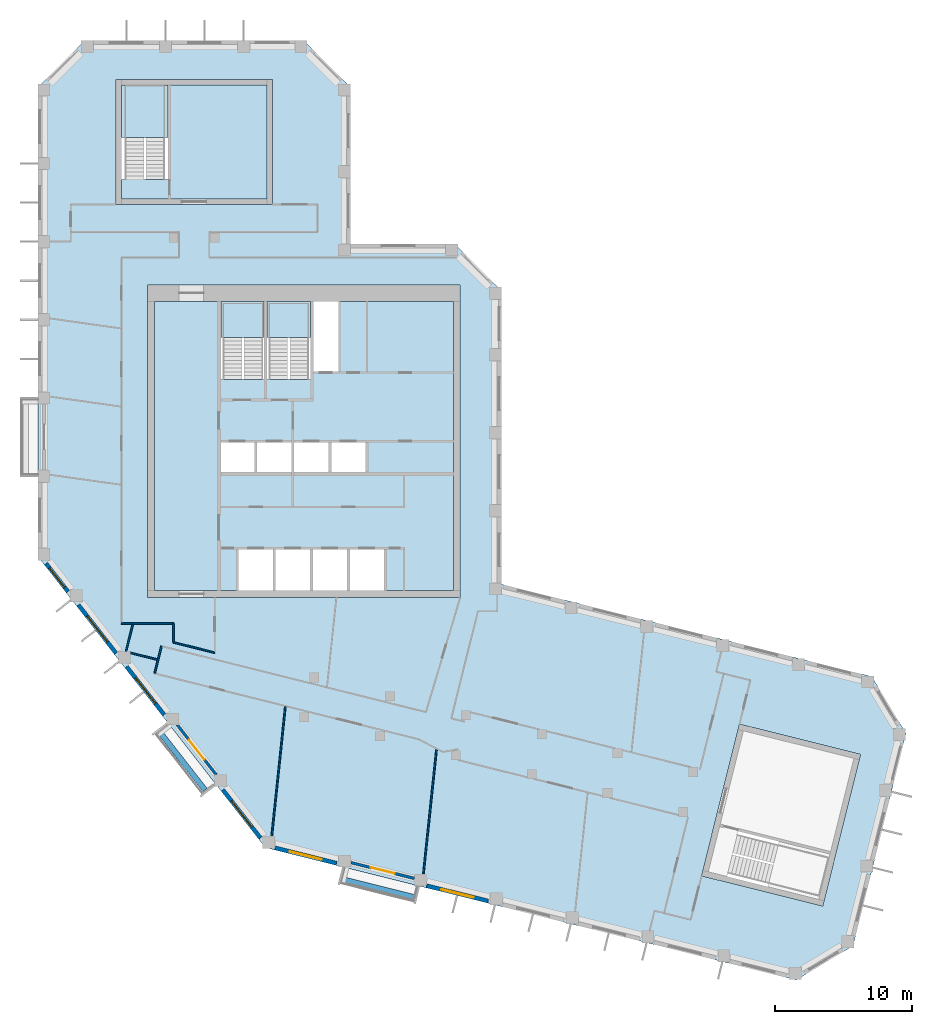
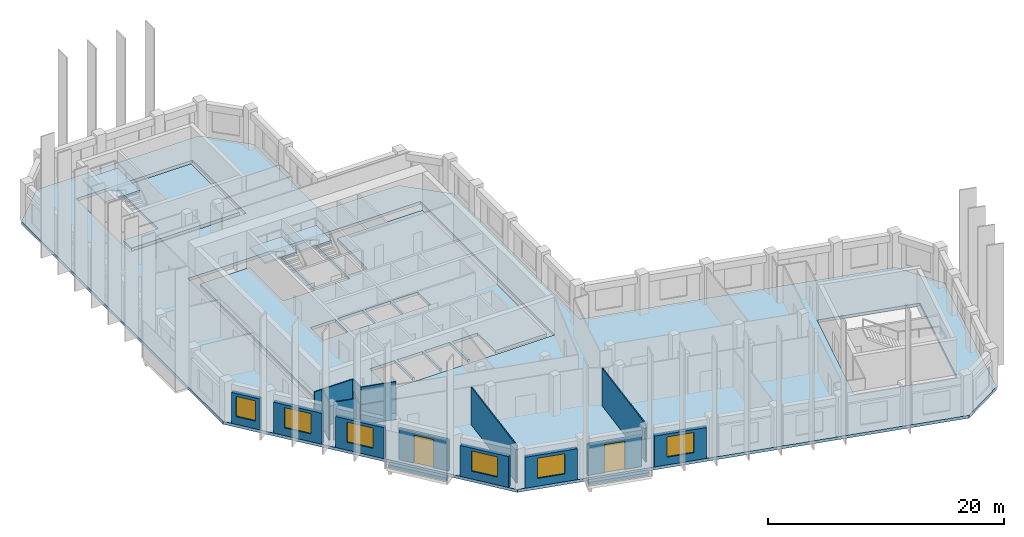
# One storey, part 2 of 8: 18 walls, 6 slabs, 6 windows, 2 doors, 8 openings, 3 elements without a shape of their own.
"""IFC4 building model written with IfcOpenShell, lengths in metres."""

from ifc_helpers import new_model, si_unit, direction, frame, frame_2d, origin, place, context, subcontext, project, spatial, polyline, rectangle, outline, extrude, material, layer, layer_set, type_object, element, fill, aggregate, save


model = new_model("IFC4")

# Units and contexts
model_context = context("Model", 3, precision=1e-05, world=origin(), true_north=direction((0.0, 1.0)))
body_context = subcontext(model_context, "Body", "Model", "MODEL_VIEW")
ifc_project = project(units=[si_unit("LENGTHUNIT", "METRE"), si_unit("AREAUNIT", "SQUARE_METRE"), si_unit("VOLUMEUNIT", "CUBIC_METRE"), si_unit("PLANEANGLEUNIT", "RADIAN"), si_unit("MASSUNIT", "GRAM", prefix="KILO")], contexts=[model_context])

# Site, building, storey
site_placement = place(None, origin())
site = spatial("IfcSite", under=ifc_project, at=site_placement, CompositionType="ELEMENT")
building_placement = place(site_placement, origin())
building = spatial("IfcBuilding", under=site, at=building_placement, Name="Meshkara Civic Tower", CompositionType="ELEMENT")
storey_placement = place(building_placement, frame((0.0, 0.0, 387.60009765625)))
storey = spatial("IfcBuildingStorey", under=building, at=storey_placement, Name="L89", CompositionType="ELEMENT", Elevation=387.60009765625)

# Slabs
ifc_material_1 = material(Name="Concrete C40/50", Category="concrete")
ifc_layer_1 = layer(ifc_material_1, 0.300048828125)
ifc_layer_set_1 = layer_set([ifc_layer_1], Name="Core floor slab 300 C40/50")
slab_type_1 = type_object("IfcSlabType", Name="Core floor slab 300 C40/50", PredefinedType="FLOOR", material=ifc_layer_set_1)
slab_1_placement = place(storey_placement, frame((0.0, 0.0, -0.300048828125)))
element("IfcSlab", 1, at=slab_1_placement, inside=storey, type_object=slab_type_1, Name="Core floor K", PredefinedType="FLOOR", context=body_context, shape_type="SweptSolid", body=[
    extrude(outline(polyline([(8.5, 35.699951171875), (13.35009765625, 35.699951171875), (13.35009765625, 30.00146484375), (16.5, 30.00146484375), (16.5, 35.699951171875), (16.699951171875, 35.699951171875), (16.699951171875, 30.00146484375), (19.89990234375, 30.00146484375), (19.89990234375, 35.699951171875), (20.10009765625, 35.699951171875), (20.10009765625, 30.574951171875), (21.925048828125, 30.574951171875), (21.925048828125, 35.699951171875), (30.300048828125, 35.699951171875), (30.300048828125, 14.60009765625), (25.25, 14.60009765625), (25.25, 17.60009765625), (22.75, 17.60009765625), (22.75, 14.60009765625), (22.550048828125, 14.60009765625), (22.550048828125, 17.60009765625), (20.050048828125, 17.60009765625), (20.050048828125, 14.60009765625), (19.85009765625, 14.60009765625), (19.85009765625, 17.60009765625), (17.35009765625, 17.60009765625), (17.35009765625, 14.60009765625), (17.14990234375, 14.60009765625), (17.14990234375, 17.60009765625), (14.64990234375, 17.60009765625), (14.64990234375, 14.60009765625), (8.5, 14.60009765625), (8.5, 35.699951171875)]), holes=[polyline([(13.35009765625, 23.25), (15.800048828125, 23.25), (15.800048828125, 25.39990234375), (13.35009765625, 25.39990234375), (13.35009765625, 23.25)]), polyline([(18.5, 23.25), (18.5, 25.39990234375), (16.0, 25.39990234375), (16.0, 23.25), (18.5, 23.25)]), polyline([(18.699951171875, 23.25), (21.199951171875, 23.25), (21.199951171875, 25.39990234375), (18.699951171875, 25.39990234375), (18.699951171875, 23.25)]), polyline([(23.89990234375, 23.25), (23.89990234375, 25.39990234375), (21.39990234375, 25.39990234375), (21.39990234375, 23.25), (23.89990234375, 23.25)])]), origin(), (0.0, 0.0, 1.0), 0.300048828125),
])
slab_2_placement = place(storey_placement, frame((0.0, 0.0, -0.300048828125)))
element("IfcSlab", 2, at=slab_2_placement, inside=storey, type_object=slab_type_1, Name="Core floor EA", PredefinedType="FLOOR", context=body_context, shape_type="SweptSolid", body=[
    extrude(outline(polyline([(16.699951171875, 43.169921875), (16.699951171875, 51.469970703125), (9.5, 51.469970703125), (9.5, 44.571533203125), (6.10009765625, 44.571533203125), (6.10009765625, 43.169921875), (16.699951171875, 43.169921875)])), origin(), (0.0, 0.0, 1.0), 0.300048828125),
])

# Stair, slab
ifc_material_2 = material(Name="Precast concrete C40/50", Category="concrete")
stair_type = type_object("IfcStairType", Name="Exit stair half-turn 24 risers precast", PredefinedType="HALF_TURN_STAIR", material=ifc_material_2)
stair_1_placement = place(storey_placement, origin())
stair_1 = element("IfcStair", 3, at=stair_1_placement, inside=storey, type_object=stair_type, Name="L89 exit stair 1", PredefinedType="HALF_TURN_STAIR")
ifc_material_3 = material(Name="Precast concrete C40/50", Category="concrete")
ifc_layer_2 = layer(ifc_material_3, 0.199951171875)
ifc_layer_set_2 = layer_set([ifc_layer_2], Name="Exit stair landing 200")
slab_type_2 = type_object("IfcSlabType", Name="Exit stair landing 200", PredefinedType="LANDING", material=ifc_layer_set_2)
slab_3_placement = place(storey_placement, frame((0.0, 0.0, 1.89990234375)))
slab_3 = element("IfcSlab", 4, at=slab_3_placement, type_object=slab_type_2, Name="ST1 landing 1", PredefinedType="LANDING", context=body_context, shape_type="SweptSolid", body=[
    extrude(outline(polyline([(16.5, 33.07861328125), (16.5, 35.699951171875), (13.35009765625, 35.699951171875), (13.35009765625, 33.07861328125), (16.5, 33.07861328125)])), origin(), (0.0, 0.0, 1.0), 0.199951171875),
])
aggregate(stair_1, [slab_3])

stair_2_placement = place(storey_placement, origin())
stair_2 = element("IfcStair", 5, at=stair_2_placement, inside=storey, type_object=stair_type, Name="L89 exit stair 2", PredefinedType="HALF_TURN_STAIR")
slab_4_placement = place(storey_placement, frame((0.0, 0.0, 1.89990234375)))
slab_4 = element("IfcSlab", 6, at=slab_4_placement, type_object=slab_type_2, Name="ST2 landing 1", PredefinedType="LANDING", context=body_context, shape_type="SweptSolid", body=[
    extrude(outline(polyline([(19.89990234375, 33.07861328125), (19.89990234375, 35.699951171875), (16.699951171875, 35.699951171875), (16.699951171875, 33.07861328125), (19.89990234375, 33.07861328125)])), origin(), (0.0, 0.0, 1.0), 0.199951171875),
])
aggregate(stair_2, [slab_4])

stair_3_placement = place(storey_placement, origin())
stair_3 = element("IfcStair", 7, at=stair_3_placement, inside=storey, type_object=stair_type, Name="L89 exit stair A from L80", PredefinedType="HALF_TURN_STAIR")
slab_5_placement = place(storey_placement, frame((0.0, 0.0, 1.89990234375)))
slab_5 = element("IfcSlab", 8, at=slab_5_placement, type_object=slab_type_2, Name="ESA6 landing 1", PredefinedType="LANDING", context=body_context, shape_type="SweptSolid", body=[
    extrude(outline(polyline([(9.5, 47.6484375), (9.5, 51.469970703125), (6.10009765625, 51.469970703125), (6.10009765625, 47.6484375), (9.5, 47.6484375)])), origin(), (0.0, 0.0, 1.0), 0.199951171875),
])
aggregate(stair_3, [slab_5])

# Slab
ifc_material_4 = material(Name="Concrete C50", Category="concrete")
ifc_layer_3 = layer(ifc_material_4, 0.300048828125)
ifc_layer_set_3 = layer_set([ifc_layer_3], Name="Post-tensioned flat slab 300 C50")
slab_type_3 = type_object("IfcSlabType", Name="Post-tensioned flat slab 300 C50", PredefinedType="FLOOR", material=ifc_layer_set_3)
slab_6_placement = place(storey_placement, frame((0.0, 0.0, -0.300048828125)))
element("IfcSlab", 9, at=slab_6_placement, inside=storey, type_object=slab_type_3, Name="Post-tensioned flat slab L89", PredefinedType="FLOOR", context=body_context, shape_type="SweptSolid", body=[
    extrude(outline(polyline([(59.452880859375, -11.299072265625), (55.306884765625, -13.7900390625), (16.592041015625, -4.136962890625), (0.0, 17.10009765625), (0.0, 51.300048828125), (3.419921875, 54.719970703125), (19.3798828125, 54.719970703125), (22.800048828125, 51.300048828125), (22.800048828125, 39.89990234375), (30.3798828125, 39.89990234375), (33.800048828125, 36.47998046875), (33.800048828125, 15.071044921875), (60.822998046875, 8.3330078125), (63.31396484375, 4.18701171875), (59.452880859375, -11.299072265625)]), holes=[polyline([(57.239013671875, -8.39697265625), (59.9970703125, 2.6650390625), (51.1669921875, 4.865966796875), (48.408935546875, -6.195068359375), (57.239013671875, -8.39697265625)]), polyline([(8.0, 14.10009765625), (30.800048828125, 14.10009765625), (30.800048828125, 36.89990234375), (8.0, 36.89990234375), (8.0, 14.10009765625)]), polyline([(5.699951171875, 51.8701171875), (5.699951171875, 42.77001953125), (17.10009765625, 42.77001953125), (17.10009765625, 51.8701171875), (5.699951171875, 51.8701171875)])]), origin(), (0.0, 0.0, 1.0), 0.300048828125),
])

# Walls
ifc_material_5 = material(Name="Corridor wall 100")
ifc_layer_4 = layer(ifc_material_5, 0.10009765625)
ifc_layer_set_4 = layer_set([ifc_layer_4], Name="Corridor wall 100")
wall_type_1 = type_object("IfcWallType", Name="Corridor wall 100", PredefinedType="PARTITIONING", material=ifc_layer_set_4)
wall_1_placement = place(storey_placement, frame((6.10009765625, 12.199951171875, 0.0), z_axis=(0.0, 0.0, 1.0), x_axis=(1.0, 0.0, 0.0)))
element("IfcWall", 10, at=wall_1_placement, inside=storey, type_object=wall_type_1, Name="L89-W004", PredefinedType="PARTITIONING", context=body_context, shape_type="SweptSolid", body=[
    extrude(rectangle(XDim=3.7998046875, YDim=0.10009765625, at=frame_2d((1.89990234375, 0.0))), origin(), (0.0, 0.0, 1.0), 3.89990234375),
])
wall_2_placement = place(storey_placement, frame((9.01708984375, 10.55810546875, 0.0), z_axis=(0.0, 0.0, 1.0), x_axis=(-0.241751728323, -0.970338137895, 0.0)))
element("IfcWall", 11, at=wall_2_placement, inside=storey, type_object=wall_type_1, Name="L89-W008", PredefinedType="PARTITIONING", context=body_context, shape_type="SweptSolid", body=[
    extrude(rectangle(XDim=2.052001953125, YDim=0.10009765625, at=frame_2d((1.02587890625, 0.0))), origin(), (0.0, 0.0, 1.0), 3.89990234375),
])
wall_3_placement = place(storey_placement, frame((9.89990234375, 10.825927734375, 0.0), z_axis=(0.0, 0.0, 1.0), x_axis=(0.970290953223, -0.241941038466, 0.0)))
element("IfcWall", 12, at=wall_3_placement, inside=storey, type_object=wall_type_1, Name="L89-W009", PredefinedType="PARTITIONING", context=body_context, shape_type="SweptSolid", body=[
    extrude(rectangle(XDim=3.091796875, YDim=0.10009765625, at=frame_2d((1.5458984375, 0.0))), origin(), (0.0, 0.0, 1.0), 3.89990234375),
])
wall_4_placement = place(storey_placement, frame((9.89990234375, 12.199951171875, 0.0), z_axis=(0.0, 0.0, 1.0), x_axis=(0.0, -1.0, 0.0)))
element("IfcWall", 13, at=wall_4_placement, inside=storey, type_object=wall_type_1, Name="L89-W010", PredefinedType="PARTITIONING", context=body_context, shape_type="SweptSolid", body=[
    extrude(rectangle(XDim=1.3740234375, YDim=0.10009765625, at=frame_2d((0.68701171875, 0.0))), origin(), (0.0, 0.0, 1.0), 3.89990234375),
])

# Wall, opening, window
ifc_material_6 = material(Name="Insulated infill panel with bronze anodised aluminium cladding", Category="aluminium")
ifc_layer_5 = layer(ifc_material_6, 0.300048828125)
ifc_layer_set_5 = layer_set([ifc_layer_5], Name="EXTERNAL INFILL WALL 300")
wall_type_2 = type_object("IfcWallType", Name="EXTERNAL INFILL WALL 300", PredefinedType="SOLIDWALL", material=ifc_layer_set_5)
wall_5_placement = place(storey_placement, frame((0.60205078125, 16.572998046875, 0.0), z_axis=(0.0, 0.0, 1.0), x_axis=(0.61568999437, -0.787988471256, 0.0)))
wall_5 = element("IfcWall", 14, at=wall_5_placement, inside=storey, type_object=wall_type_2, Name="External wall", PredefinedType="SOLIDWALL", context=body_context, shape_type="SweptSolid", body=[
    extrude(rectangle(XDim=2.577392578125, YDim=0.300048828125, at=frame_2d((1.28857421875, 0.0))), origin(), (0.0, 0.0, 1.0), 3.199951171875),
])
opening_1_placement = place(wall_5_placement, frame((0.387939453125, 0.0, 0.800048828125)))
opening_1 = element("IfcOpeningElement", 15, at=opening_1_placement, cuts=wall_5, Name="Opening W9", PredefinedType="OPENING", context=body_context, shape_type="SweptSolid", body=[
    extrude(rectangle(XDim=1.800048828125, YDim=2.10009765625, at=frame_2d((0.89990234375, 1.050048828125))), frame((0.0, 0.159912109375, 0.0), z_axis=(0.0, -1.0, 0.0), x_axis=(1.0, 0.0, 0.0)), (0.0, 0.0, 1.0), 0.320068359375),
])
ifc_material_7 = material(Name="Tinted double glazing", Category="glass")
window_type_1 = type_object("IfcWindowType", Name="WINDOW 1800x2100", PartitioningType="DOUBLE_PANEL_VERTICAL", PredefinedType="WINDOW", material=ifc_material_7)
window_1_placement = place(opening_1_placement, origin())
window_1 = element("IfcWindow", 16, at=window_1_placement, inside=storey, type_object=window_type_1, Name="Window", OverallHeight=2.10009765625, OverallWidth=1.800048828125, PartitioningType="DOUBLE_PANEL_VERTICAL", PredefinedType="WINDOW", context=body_context, shape_type="SweptSolid", body=[
    extrude(rectangle(XDim=1.800048828125, YDim=2.10009765625, at=frame_2d((0.89990234375, 1.050048828125))), frame((0.0, 0.030029296875, 0.0), z_axis=(0.0, -1.0, 0.0), x_axis=(1.0, 0.0, 0.0)), (0.0, 0.0, 1.0), 0.06005859375),
])
fill(opening_1, window_1)

wall_6_placement = place(storey_placement, frame((2.967041015625, 13.547119140625, 0.0), z_axis=(0.0, 0.0, 1.0), x_axis=(0.615486001463, -0.788147817356, 0.0)))
wall_6 = element("IfcWall", 17, at=wall_6_placement, inside=storey, type_object=wall_type_2, Name="External wall", PredefinedType="SOLIDWALL", context=body_context, shape_type="SweptSolid", body=[
    extrude(rectangle(XDim=4.43701171875, YDim=0.300048828125, at=frame_2d((2.218505859375, 0.0))), origin(), (0.0, 0.0, 1.0), 3.199951171875),
])
opening_2_placement = place(wall_6_placement, frame((1.01806640625, 0.0, 0.800048828125)))
opening_2 = element("IfcOpeningElement", 18, at=opening_2_placement, cuts=wall_6, Name="Opening W7", PredefinedType="OPENING", context=body_context, shape_type="SweptSolid", body=[
    extrude(rectangle(XDim=2.39990234375, YDim=2.10009765625, at=frame_2d((1.199951171875, 1.050048828125))), frame((0.0, 0.159912109375, 0.0), z_axis=(0.0, -1.0, 0.0), x_axis=(1.0, 0.0, 0.0)), (0.0, 0.0, 1.0), 0.320068359375),
])
ifc_material_8 = material(Name="Tinted double glazing", Category="glass")
window_type_2 = type_object("IfcWindowType", Name="WINDOW 2400x2100", PartitioningType="DOUBLE_PANEL_VERTICAL", PredefinedType="WINDOW", material=ifc_material_8)
window_2_placement = place(opening_2_placement, origin())
window_2 = element("IfcWindow", 19, at=window_2_placement, inside=storey, type_object=window_type_2, Name="Window", OverallHeight=2.10009765625, OverallWidth=2.39990234375, PartitioningType="DOUBLE_PANEL_VERTICAL", PredefinedType="WINDOW", context=body_context, shape_type="SweptSolid", body=[
    extrude(rectangle(XDim=2.39990234375, YDim=2.10009765625, at=frame_2d((1.199951171875, 1.050048828125))), frame((0.0, 0.030029296875, 0.0), z_axis=(0.0, -1.0, 0.0), x_axis=(1.0, 0.0, 0.0)), (0.0, 0.0, 1.0), 0.06005859375),
])
fill(opening_2, window_2)

wall_7_placement = place(storey_placement, frame((6.47607421875, 9.054931640625, 0.0), z_axis=(0.0, 0.0, 1.0), x_axis=(0.615649380255, -0.788020203162, 0.0)))
wall_7 = element("IfcWall", 20, at=wall_7_placement, inside=storey, type_object=wall_type_2, Name="External wall", PredefinedType="SOLIDWALL", context=body_context, shape_type="SweptSolid", body=[
    extrude(rectangle(XDim=4.4375, YDim=0.300048828125, at=frame_2d((2.21875, 0.0))), origin(), (0.0, 0.0, 1.0), 3.199951171875),
])
opening_3_placement = place(wall_7_placement, frame((1.01904296875, 0.0, 0.800048828125)))
opening_3 = element("IfcOpeningElement", 21, at=opening_3_placement, cuts=wall_7, Name="Opening W7", PredefinedType="OPENING", context=body_context, shape_type="SweptSolid", body=[
    extrude(rectangle(XDim=2.39990234375, YDim=2.10009765625, at=frame_2d((1.199951171875, 1.050048828125))), frame((0.0, 0.159912109375, 0.0), z_axis=(0.0, -1.0, 0.0), x_axis=(1.0, 0.0, 0.0)), (0.0, 0.0, 1.0), 0.320068359375),
])
window_3_placement = place(opening_3_placement, origin())
window_3 = element("IfcWindow", 22, at=window_3_placement, inside=storey, type_object=window_type_2, Name="Window", OverallHeight=2.10009765625, OverallWidth=2.39990234375, PartitioningType="DOUBLE_PANEL_VERTICAL", PredefinedType="WINDOW", context=body_context, shape_type="SweptSolid", body=[
    extrude(rectangle(XDim=2.39990234375, YDim=2.10009765625, at=frame_2d((1.199951171875, 1.050048828125))), frame((0.0, 0.030029296875, 0.0), z_axis=(0.0, -1.0, 0.0), x_axis=(1.0, 0.0, 0.0)), (0.0, 0.0, 1.0), 0.06005859375),
])
fill(opening_3, window_3)

wall_8_placement = place(storey_placement, frame((13.493896484375, 0.071044921875, 0.0), z_axis=(0.0, 0.0, 1.0), x_axis=(0.615763624226, -0.787930935476, 0.0)))
wall_8 = element("IfcWall", 23, at=wall_8_placement, inside=storey, type_object=wall_type_2, Name="External wall", PredefinedType="SOLIDWALL", context=body_context, shape_type="SweptSolid", body=[
    extrude(rectangle(XDim=4.43701171875, YDim=0.300048828125, at=frame_2d((2.218505859375, 0.0))), origin(), (0.0, 0.0, 1.0), 3.199951171875),
])
opening_4_placement = place(wall_8_placement, frame((1.01806640625, 0.0, 0.800048828125)))
opening_4 = element("IfcOpeningElement", 24, at=opening_4_placement, cuts=wall_8, Name="Opening W7", PredefinedType="OPENING", context=body_context, shape_type="SweptSolid", body=[
    extrude(rectangle(XDim=2.39990234375, YDim=2.10009765625, at=frame_2d((1.199951171875, 1.050048828125))), frame((0.0, 0.159912109375, 0.0), z_axis=(0.0, -1.0, 0.0), x_axis=(1.0, 0.0, 0.0)), (0.0, 0.0, 1.0), 0.320068359375),
])
window_4_placement = place(opening_4_placement, origin())
window_4 = element("IfcWindow", 25, at=window_4_placement, inside=storey, type_object=window_type_2, Name="Window", OverallHeight=2.10009765625, OverallWidth=2.39990234375, PartitioningType="DOUBLE_PANEL_VERTICAL", PredefinedType="WINDOW", context=body_context, shape_type="SweptSolid", body=[
    extrude(rectangle(XDim=2.39990234375, YDim=2.10009765625, at=frame_2d((1.199951171875, 1.050048828125))), frame((0.0, 0.030029296875, 0.0), z_axis=(0.0, -1.0, 0.0), x_axis=(1.0, 0.0, 0.0)), (0.0, 0.0, 1.0), 0.06005859375),
])
fill(opening_4, window_4)

wall_9_placement = place(storey_placement, frame((17.30810546875, -4.160888671875, 0.0), z_axis=(0.0, 0.0, 1.0), x_axis=(0.970294992984, -0.241924836652, 0.0)))
wall_9 = element("IfcWall", 26, at=wall_9_placement, inside=storey, type_object=wall_type_2, Name="External wall", PredefinedType="SOLIDWALL", context=body_context, shape_type="SweptSolid", body=[
    extrude(rectangle(XDim=4.60888671875, YDim=0.300048828125, at=frame_2d((2.304443359375, 0.0))), origin(), (0.0, 0.0, 1.0), 3.199951171875),
])
opening_5_placement = place(wall_9_placement, frame((1.10498046875, 0.0, 0.800048828125)))
opening_5 = element("IfcOpeningElement", 27, at=opening_5_placement, cuts=wall_9, Name="Opening W7", PredefinedType="OPENING", context=body_context, shape_type="SweptSolid", body=[
    extrude(rectangle(XDim=2.39990234375, YDim=2.10009765625, at=frame_2d((1.199951171875, 1.050048828125))), frame((0.0, 0.159912109375, 0.0), z_axis=(0.0, -1.0, 0.0), x_axis=(1.0, 0.0, 0.0)), (0.0, 0.0, 1.0), 0.320068359375),
])
window_5_placement = place(opening_5_placement, origin())
window_5 = element("IfcWindow", 28, at=window_5_placement, inside=storey, type_object=window_type_2, Name="Window", OverallHeight=2.10009765625, OverallWidth=2.39990234375, PartitioningType="DOUBLE_PANEL_VERTICAL", PredefinedType="WINDOW", context=body_context, shape_type="SweptSolid", body=[
    extrude(rectangle(XDim=2.39990234375, YDim=2.10009765625, at=frame_2d((1.199951171875, 1.050048828125))), frame((0.0, 0.030029296875, 0.0), z_axis=(0.0, -1.0, 0.0), x_axis=(1.0, 0.0, 0.0)), (0.0, 0.0, 1.0), 0.06005859375),
])
fill(opening_5, window_5)

wall_10_placement = place(storey_placement, frame((28.368896484375, -6.9189453125, 0.0), z_axis=(0.0, 0.0, 1.0), x_axis=(0.970298093093, -0.241912402618, 0.0)))
wall_10 = element("IfcWall", 29, at=wall_10_placement, inside=storey, type_object=wall_type_2, Name="External wall", PredefinedType="SOLIDWALL", context=body_context, shape_type="SweptSolid", body=[
    extrude(rectangle(XDim=4.609130859375, YDim=0.300048828125, at=frame_2d((2.3046875, 0.0))), origin(), (0.0, 0.0, 1.0), 3.199951171875),
])
opening_6_placement = place(wall_10_placement, frame((1.10498046875, 0.0, 0.800048828125)))
opening_6 = element("IfcOpeningElement", 30, at=opening_6_placement, cuts=wall_10, Name="Opening W7", PredefinedType="OPENING", context=body_context, shape_type="SweptSolid", body=[
    extrude(rectangle(XDim=2.39990234375, YDim=2.10009765625, at=frame_2d((1.199951171875, 1.050048828125))), frame((0.0, 0.159912109375, 0.0), z_axis=(0.0, -1.0, 0.0), x_axis=(1.0, 0.0, 0.0)), (0.0, 0.0, 1.0), 0.320068359375),
])
window_6_placement = place(opening_6_placement, origin())
window_6 = element("IfcWindow", 31, at=window_6_placement, inside=storey, type_object=window_type_2, Name="Window", OverallHeight=2.10009765625, OverallWidth=2.39990234375, PartitioningType="DOUBLE_PANEL_VERTICAL", PredefinedType="WINDOW", context=body_context, shape_type="SweptSolid", body=[
    extrude(rectangle(XDim=2.39990234375, YDim=2.10009765625, at=frame_2d((1.199951171875, 1.050048828125))), frame((0.0, 0.030029296875, 0.0), z_axis=(0.0, -1.0, 0.0), x_axis=(1.0, 0.0, 0.0)), (0.0, 0.0, 1.0), 0.06005859375),
])
fill(opening_6, window_6)

# Wall, opening, door
ifc_material_9 = material(Name="Insulated infill panel with bronze anodised aluminium cladding", Category="aluminium")
ifc_layer_6 = layer(ifc_material_9, 0.199951171875)
ifc_layer_set_6 = layer_set([ifc_layer_6], Name="LOGGIA BACK WALL 200")
wall_type_3 = type_object("IfcWallType", Name="LOGGIA BACK WALL 200", PredefinedType="SOLIDWALL", material=ifc_layer_set_6)
wall_11_placement = place(storey_placement, frame((10.18505859375, 4.794921875, 0.0), z_axis=(0.0, 0.0, 1.0), x_axis=(0.615589972315, -0.788066612657, 0.0)))
wall_11 = element("IfcWall", 32, at=wall_11_placement, inside=storey, type_object=wall_type_3, Name="Loggia wall", PredefinedType="SOLIDWALL", context=body_context, shape_type="SweptSolid", body=[
    extrude(rectangle(XDim=4.556396484375, YDim=0.199951171875, at=frame_2d((2.2783203125, 0.0))), origin(), (0.0, 0.0, 1.0), 3.199951171875),
])
opening_7_placement = place(wall_11_placement, frame((1.3779296875, 0.0, 0.0)))
opening_7 = element("IfcOpeningElement", 33, at=opening_7_placement, cuts=wall_11, Name="Opening L89-L002", PredefinedType="OPENING", context=body_context, shape_type="SweptSolid", body=[
    extrude(rectangle(XDim=1.800048828125, YDim=2.89990234375, at=frame_2d((0.89990234375, 1.449951171875))), frame((0.0, 0.10986328125, 0.0), z_axis=(0.0, -1.0, 0.0), x_axis=(1.0, 0.0, 0.0)), (0.0, 0.0, 1.0), 0.219970703125),
])
ifc_material_10 = material(Name="Tinted double glazing", Category="glass")
door_type = type_object("IfcDoorType", Name="LOGGIA DOOR 1800x2900", OperationType="DOUBLE_DOOR_SINGLE_SWING", PredefinedType="DOOR", material=ifc_material_10)
door_1_placement = place(opening_7_placement, origin())
door_1 = element("IfcDoor", 34, at=door_1_placement, inside=storey, type_object=door_type, Name="L89-L002", OperationType="DOUBLE_DOOR_SINGLE_SWING", OverallHeight=2.89990234375, OverallWidth=1.800048828125, PredefinedType="DOOR", context=body_context, shape_type="SweptSolid", body=[
    extrude(rectangle(XDim=1.800048828125, YDim=2.89990234375, at=frame_2d((0.89990234375, 1.449951171875))), frame((0.0, 0.02490234375, 0.0), z_axis=(0.0, -1.0, 0.0), x_axis=(1.0, 0.0, 0.0)), (0.0, 0.0, 1.0), 0.050048828125),
])
fill(opening_7, door_1)

wall_12_placement = place(storey_placement, frame((22.83203125, -5.22900390625, 0.0), z_axis=(0.0, 0.0, 1.0), x_axis=(0.9703108125, -0.241861380019, 0.0)))
wall_12 = element("IfcWall", 35, at=wall_12_placement, inside=storey, type_object=wall_type_3, Name="Loggia wall", PredefinedType="SOLIDWALL", context=body_context, shape_type="SweptSolid", body=[
    extrude(rectangle(XDim=4.771484375, YDim=0.199951171875, at=frame_2d((2.3857421875, 0.0))), origin(), (0.0, 0.0, 1.0), 3.199951171875),
])
opening_8_placement = place(wall_12_placement, frame((1.485107421875, 0.0, 0.0)))
opening_8 = element("IfcOpeningElement", 36, at=opening_8_placement, cuts=wall_12, Name="Opening L89-L003", PredefinedType="OPENING", context=body_context, shape_type="SweptSolid", body=[
    extrude(rectangle(XDim=1.800048828125, YDim=2.89990234375, at=frame_2d((0.89990234375, 1.449951171875))), frame((0.0, 0.10986328125, 0.0), z_axis=(0.0, -1.0, 0.0), x_axis=(1.0, 0.0, 0.0)), (0.0, 0.0, 1.0), 0.219970703125),
])
door_2_placement = place(opening_8_placement, origin())
door_2 = element("IfcDoor", 37, at=door_2_placement, inside=storey, type_object=door_type, Name="L89-L003", OperationType="DOUBLE_DOOR_SINGLE_SWING", OverallHeight=2.89990234375, OverallWidth=1.800048828125, PredefinedType="DOOR", context=body_context, shape_type="SweptSolid", body=[
    extrude(rectangle(XDim=1.800048828125, YDim=2.89990234375, at=frame_2d((0.89990234375, 1.449951171875))), frame((0.0, 0.02490234375, 0.0), z_axis=(0.0, -1.0, 0.0), x_axis=(1.0, 0.0, 0.0)), (0.0, 0.0, 1.0), 0.050048828125),
])
fill(opening_8, door_2)

# Walls
ifc_material_11 = material(Name="Concrete C40", Category="concrete")
ifc_layer_7 = layer(ifc_material_11, 0.39990234375)
ifc_layer_set_7 = layer_set([ifc_layer_7], Name="PLANTER TRAY")
wall_type_4 = type_object("IfcWallType", Name="PLANTER TRAY", PredefinedType="SOLIDWALL", material=ifc_layer_set_7)
wall_13_placement = place(storey_placement, frame((8.889892578125, 4.2919921875, 0.0), z_axis=(0.0, 0.0, 1.0), x_axis=(0.615636085037, -0.788030590016, 0.0)))
element("IfcWall", 38, at=wall_13_placement, inside=storey, type_object=wall_type_4, Name="Planter", PredefinedType="SOLIDWALL", context=body_context, shape_type="SweptSolid", body=[
    extrude(rectangle(XDim=5.35888671875, YDim=0.39990234375, at=frame_2d((2.679443359375, 0.0))), origin(), (0.0, 0.0, 1.0), 0.2998046875),
])
wall_14_placement = place(storey_placement, frame((22.22509765625, -6.447998046875, 0.0), z_axis=(0.0, 0.0, 1.0), x_axis=(0.970268314528, -0.242031811592, 0.0)))
element("IfcWall", 39, at=wall_14_placement, inside=storey, type_object=wall_type_4, Name="Planter", PredefinedType="SOLIDWALL", context=body_context, shape_type="SweptSolid", body=[
    extrude(rectangle(XDim=5.359375, YDim=0.39990234375, at=frame_2d((2.6796875, 0.0))), origin(), (0.0, 0.0, 1.0), 0.2998046875),
])
ifc_material_12 = material(Name="Partition 100")
ifc_layer_8 = layer(ifc_material_12, 0.10009765625)
ifc_layer_set_8 = layer_set([ifc_layer_8], Name="Partition 100")
wall_type_5 = type_object("IfcWallType", Name="Partition 100", PredefinedType="PARTITIONING", material=ifc_layer_set_8)
wall_15_placement = place(storey_placement, frame((6.922119140625, 12.137939453125, 0.0), z_axis=(0.0, 0.0, 1.0), x_axis=(-0.24222136375, -0.97022101139, 0.0)))
element("IfcWall", 40, at=wall_15_placement, inside=storey, type_object=wall_type_5, Name="L89-W043", PredefinedType="PARTITIONING", context=body_context, shape_type="SweptSolid", body=[
    extrude(rectangle(XDim=2.0107421875, YDim=0.10009765625, at=frame_2d((1.00537109375, 0.0))), origin(), (0.0, 0.0, 1.0), 3.89990234375),
])
wall_16_placement = place(storey_placement, frame((8.719970703125, 9.573974609375, 0.0), z_axis=(0.0, 0.0, 1.0), x_axis=(-0.970221168815, 0.24222073318, 0.0)))
element("IfcWall", 41, at=wall_16_placement, inside=storey, type_object=wall_type_5, Name="L89-W044", PredefinedType="PARTITIONING", context=body_context, shape_type="SweptSolid", body=[
    extrude(rectangle(XDim=2.0068359375, YDim=0.10009765625, at=frame_2d((1.00341796875, 0.0))), origin(), (0.0, 0.0, 1.0), 3.89990234375),
])
wall_17_placement = place(storey_placement, frame((17.05908203125, -3.2880859375, 0.0), z_axis=(0.0, 0.0, 1.0), x_axis=(0.104608315677, 0.994513499301, 0.0)))
element("IfcWall", 42, at=wall_17_placement, inside=storey, type_object=wall_type_5, Name="L89-W045", PredefinedType="PARTITIONING", context=body_context, shape_type="SweptSolid", body=[
    extrude(rectangle(XDim=9.47314453125, YDim=0.10009765625, at=frame_2d((4.736572265625, 0.0))), origin(), (0.0, 0.0, 1.0), 3.89990234375),
])
wall_18_placement = place(storey_placement, frame((28.12109375, -6.0458984375, 0.0), z_axis=(0.0, 0.0, 1.0), x_axis=(0.104454444479, 0.994529672272, 0.0)))
element("IfcWall", 43, at=wall_18_placement, inside=storey, type_object=wall_type_5, Name="L89-W047", PredefinedType="PARTITIONING", context=body_context, shape_type="SweptSolid", body=[
    extrude(rectangle(XDim=9.103759765625, YDim=0.10009765625, at=frame_2d((4.5517578125, 0.0))), origin(), (0.0, 0.0, 1.0), 3.89990234375),
])

save(model, "model.ifc")
